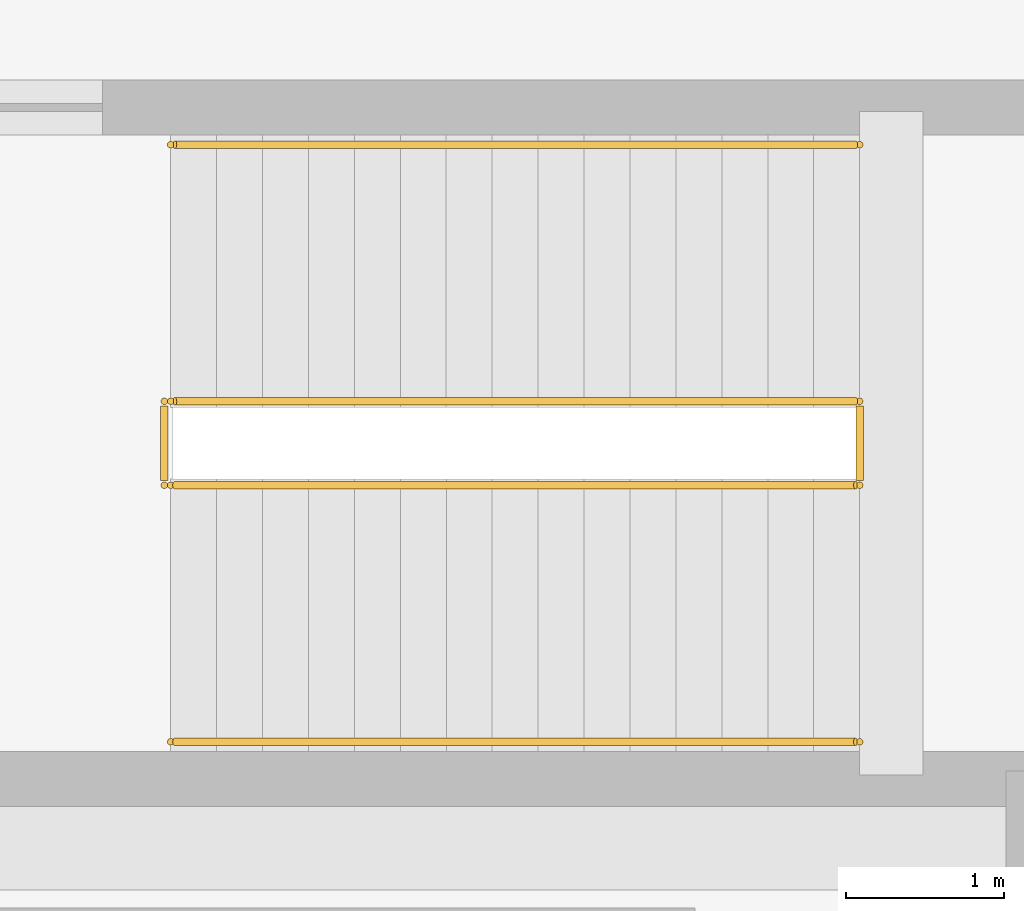
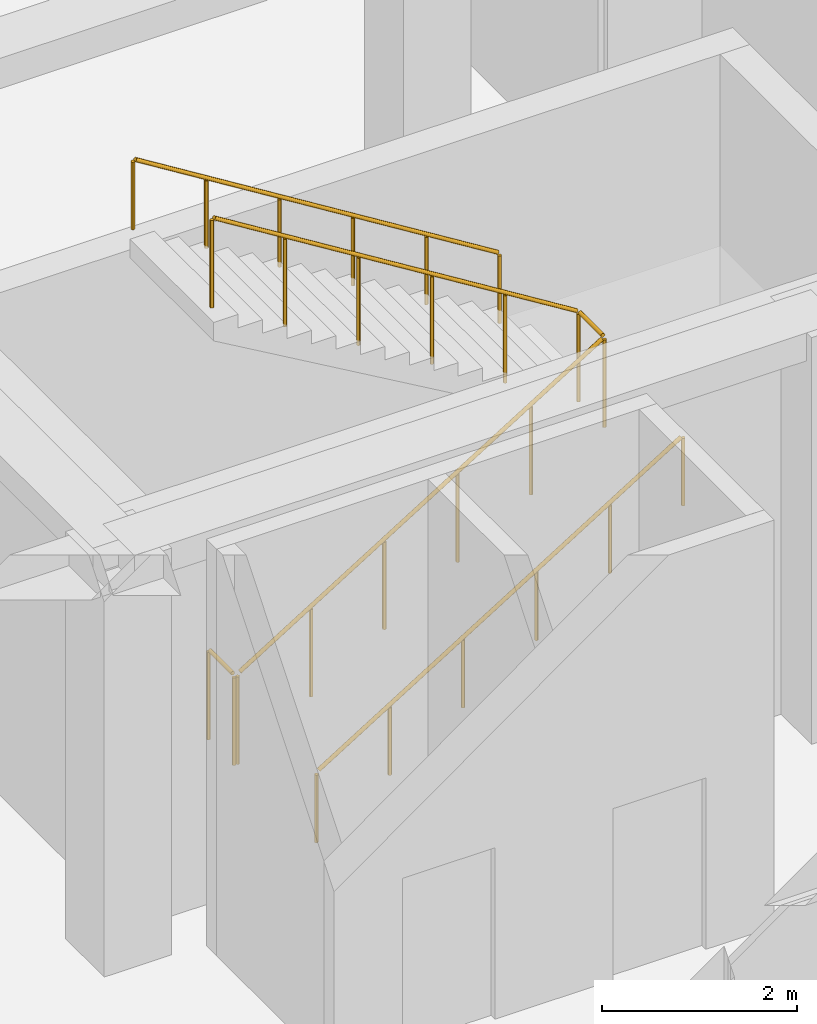
# One storey, part 61 of 65: 4 railings.
"""IFC4 building model written with IfcOpenShell, lengths in metres."""

from ifc_helpers import new_model, si_unit, direction, frame, origin, origin_2d, place, context, subcontext, project, spatial, circle, extrude, material, type_object, element, save


model = new_model("IFC4")

# Units and contexts
model_context = context("Model", 3, precision=1e-05, world=origin(), true_north=direction((0.0, 1.0)))
body_context = subcontext(model_context, "Body", "Model", "MODEL_VIEW")
ifc_project = project(units=[si_unit("LENGTHUNIT", "METRE"), si_unit("AREAUNIT", "SQUARE_METRE"), si_unit("VOLUMEUNIT", "CUBIC_METRE"), si_unit("PLANEANGLEUNIT", "RADIAN"), si_unit("MASSUNIT", "GRAM", prefix="KILO")], contexts=[model_context])

# Site, building, storey
site_placement = place(None, origin())
site = spatial("IfcSite", under=ifc_project, at=site_placement, CompositionType="ELEMENT")
building_placement = place(site_placement, origin())
building = spatial("IfcBuilding", under=site, at=building_placement, Name="Almacenes y Pasaje Nevantli", CompositionType="ELEMENT")
storey_placement = place(building_placement, frame((0.0, 0.0, 16.800048828125)))
storey = spatial("IfcBuildingStorey", under=building, at=storey_placement, Name="L04", CompositionType="ELEMENT", Elevation=16.800048828125)

# Railings
ifc_material_1 = material(Name="Brushed Stainless Steel and Tempered Safety Glass", Category="steel")
railing_type_1 = type_object("IfcRailingType", Name="RL-GUARD-1100", PredefinedType="BALUSTRADE", material=ifc_material_1)
railing_1_placement = place(storey_placement, frame((120.300048828125, 77.830078125, 0.0)))
element("IfcRailing", 1, at=railing_1_placement, inside=storey, type_object=railing_type_1, Name="L04 Stair ST-01 Inner Well Guard Balustrade", PredefinedType="BALUSTRADE", context=body_context, shape_type="SweptSolid", body=[
    extrude(circle(Radius=0.02392578125, at=origin_2d()), frame((0.025390625, 0.0, 1.1416015625), z_axis=(0.849636482215, 0.0, 0.527368797038), x_axis=(0.0, 1.0, 0.0)), (0.0, 0.0, 1.0), 5.0595703125),
    extrude(circle(Radius=0.02392578125, at=origin_2d()), frame((4.349853515625, 0.030029296875, 3.82568359375), z_axis=(0.0, 1.0, 0.0), x_axis=(-1.0, 0.0, 0.0)), (0.0, 0.0, 1.0), 0.469970703125),
    extrude(circle(Radius=0.02392578125, at=origin_2d()), frame((4.324462890625, 0.530029296875, 3.841552734375), z_axis=(-0.849636482215, 0.0, 0.527368797038), x_axis=(0.0, -1.0, 0.0)), (0.0, 0.0, 1.0), 5.0595703125),
    extrude(circle(Radius=0.02099609375, at=origin_2d()), origin(), (0.0, 0.0, 1.0), 1.096923828125),
    extrude(circle(Radius=0.02099609375, at=origin_2d()), frame((0.869873046875, 0.0, 0.5400390625)), (0.0, 0.0, 1.0), 1.096923828125),
    extrude(circle(Radius=0.02099609375, at=origin_2d()), frame((1.739990234375, 0.0, 1.080078125)), (0.0, 0.0, 1.0), 1.096923828125),
    extrude(circle(Radius=0.02099609375, at=origin_2d()), frame((2.60986328125, 0.0, 1.619873046875)), (0.0, 0.0, 1.0), 1.096923828125),
    extrude(circle(Radius=0.02099609375, at=origin_2d()), frame((3.47998046875, 0.0, 2.159912109375)), (0.0, 0.0, 1.0), 1.096923828125),
    extrude(circle(Radius=0.02099609375, at=origin_2d()), frame((4.349853515625, 0.0, 2.699951171875)), (0.0, 0.0, 1.0), 1.096923828125),
    extrude(circle(Radius=0.02099609375, at=origin_2d()), frame((4.349853515625, 0.530029296875, 2.699951171875)), (0.0, 0.0, 1.0), 1.096923828125),
    extrude(circle(Radius=0.02099609375, at=origin_2d()), frame((3.47998046875, 0.530029296875, 3.239990234375)), (0.0, 0.0, 1.0), 1.096923828125),
    extrude(circle(Radius=0.02099609375, at=origin_2d()), frame((2.60986328125, 0.530029296875, 3.780029296875)), (0.0, 0.0, 1.0), 1.096923828125),
    extrude(circle(Radius=0.02099609375, at=origin_2d()), frame((1.739990234375, 0.530029296875, 4.31982421875)), (0.0, 0.0, 1.0), 1.096923828125),
    extrude(circle(Radius=0.02099609375, at=origin_2d()), frame((0.869873046875, 0.530029296875, 4.85986328125)), (0.0, 0.0, 1.0), 1.096923828125),
    extrude(circle(Radius=0.02099609375, at=origin_2d()), frame((0.0, 0.530029296875, 5.39990234375)), (0.0, 0.0, 1.0), 1.096923828125),
])
railing_2_placement = place(storey_placement, frame((120.260009765625, 77.830078125, 0.0)))
element("IfcRailing", 2, at=railing_2_placement, inside=storey, type_object=railing_type_1, Name="L04 Stair ST-01 Landing Well Slot Guard", PredefinedType="BALUSTRADE", context=body_context, shape_type="SweptSolid", body=[
    extrude(circle(Radius=0.02392578125, at=origin_2d()), frame((0.0, 0.030029296875, 1.1259765625), z_axis=(0.0, 1.0, 0.0), x_axis=(-1.0, 0.0, 0.0)), (0.0, 0.0, 1.0), 0.469970703125),
    extrude(circle(Radius=0.02099609375, at=origin_2d()), origin(), (0.0, 0.0, 1.0), 1.096923828125),
    extrude(circle(Radius=0.02099609375, at=origin_2d()), frame((0.0, 0.530029296875, 0.0)), (0.0, 0.0, 1.0), 1.096923828125),
])
ifc_material_2 = material(Name="Brushed Stainless Steel Tube", Category="steel")
railing_type_2 = type_object("IfcRailingType", Name="RL-HANDRAIL-900", PredefinedType="HANDRAIL", material=ifc_material_2)
railing_3_placement = place(storey_placement, frame((120.300048828125, 76.2099609375, 0.0)))
element("IfcRailing", 3, at=railing_3_placement, inside=storey, type_object=railing_type_2, Name="L04 Stair ST-01 Lower Flight Handrail", PredefinedType="HANDRAIL", context=body_context, shape_type="SweptSolid", body=[
    extrude(circle(Radius=0.02392578125, at=origin_2d()), frame((0.025390625, 0.0, 0.8916015625), z_axis=(0.849636482215, 0.0, 0.527368797038), x_axis=(0.0, 1.0, 0.0)), (0.0, 0.0, 1.0), 5.0595703125),
    extrude(circle(Radius=0.02099609375, at=origin_2d()), origin(), (0.0, 0.0, 1.0), 0.846923828125),
    extrude(circle(Radius=0.02099609375, at=origin_2d()), frame((0.869873046875, 0.0, 0.5400390625)), (0.0, 0.0, 1.0), 0.846923828125),
    extrude(circle(Radius=0.02099609375, at=origin_2d()), frame((1.739990234375, 0.0, 1.080078125)), (0.0, 0.0, 1.0), 0.846923828125),
    extrude(circle(Radius=0.02099609375, at=origin_2d()), frame((2.60986328125, 0.0, 1.619873046875)), (0.0, 0.0, 1.0), 0.846923828125),
    extrude(circle(Radius=0.02099609375, at=origin_2d()), frame((3.47998046875, 0.0, 2.159912109375)), (0.0, 0.0, 1.0), 0.846923828125),
    extrude(circle(Radius=0.02099609375, at=origin_2d()), frame((4.349853515625, 0.0, 2.699951171875)), (0.0, 0.0, 1.0), 0.846923828125),
])
railing_4_placement = place(storey_placement, frame((124.64990234375, 79.97998046875, 2.699951171875)))
element("IfcRailing", 4, at=railing_4_placement, inside=storey, type_object=railing_type_2, Name="L04 Stair ST-01 Upper Flight Handrail", PredefinedType="HANDRAIL", context=body_context, shape_type="SweptSolid", body=[
    extrude(circle(Radius=0.02392578125, at=origin_2d()), frame((-0.025390625, 0.0, 0.8916015625), z_axis=(-0.849636482215, 0.0, 0.527368797038), x_axis=(0.0, -1.0, 0.0)), (0.0, 0.0, 1.0), 5.0595703125),
    extrude(circle(Radius=0.02099609375, at=origin_2d()), origin(), (0.0, 0.0, 1.0), 0.846923828125),
    extrude(circle(Radius=0.02099609375, at=origin_2d()), frame((-0.869873046875, 0.0, 0.5400390625)), (0.0, 0.0, 1.0), 0.846923828125),
    extrude(circle(Radius=0.02099609375, at=origin_2d()), frame((-1.739990234375, 0.0, 1.080078125)), (0.0, 0.0, 1.0), 0.846923828125),
    extrude(circle(Radius=0.02099609375, at=origin_2d()), frame((-2.60986328125, 0.0, 1.619873046875)), (0.0, 0.0, 1.0), 0.846923828125),
    extrude(circle(Radius=0.02099609375, at=origin_2d()), frame((-3.47998046875, 0.0, 2.159912109375)), (0.0, 0.0, 1.0), 0.846923828125),
    extrude(circle(Radius=0.02099609375, at=origin_2d()), frame((-4.349853515625, 0.0, 2.699951171875)), (0.0, 0.0, 1.0), 0.846923828125),
])

save(model, "model.ifc")
